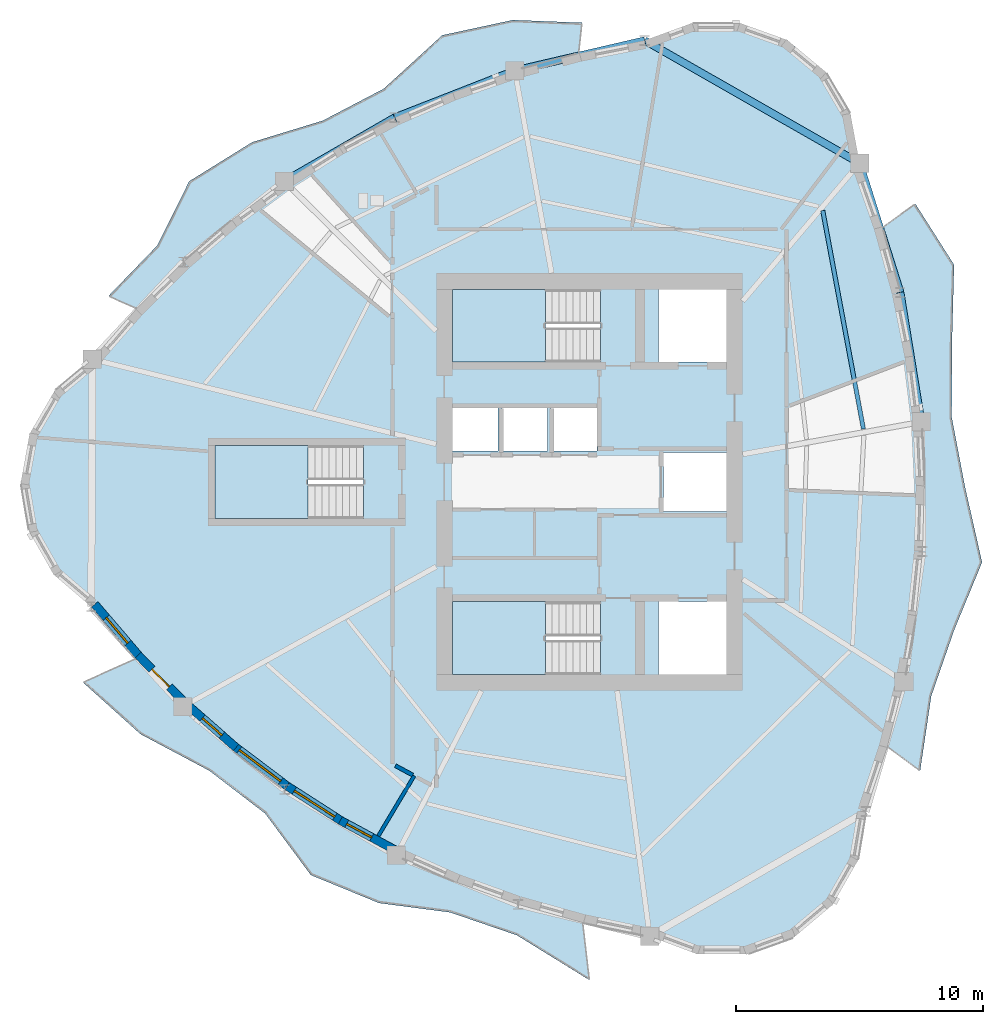
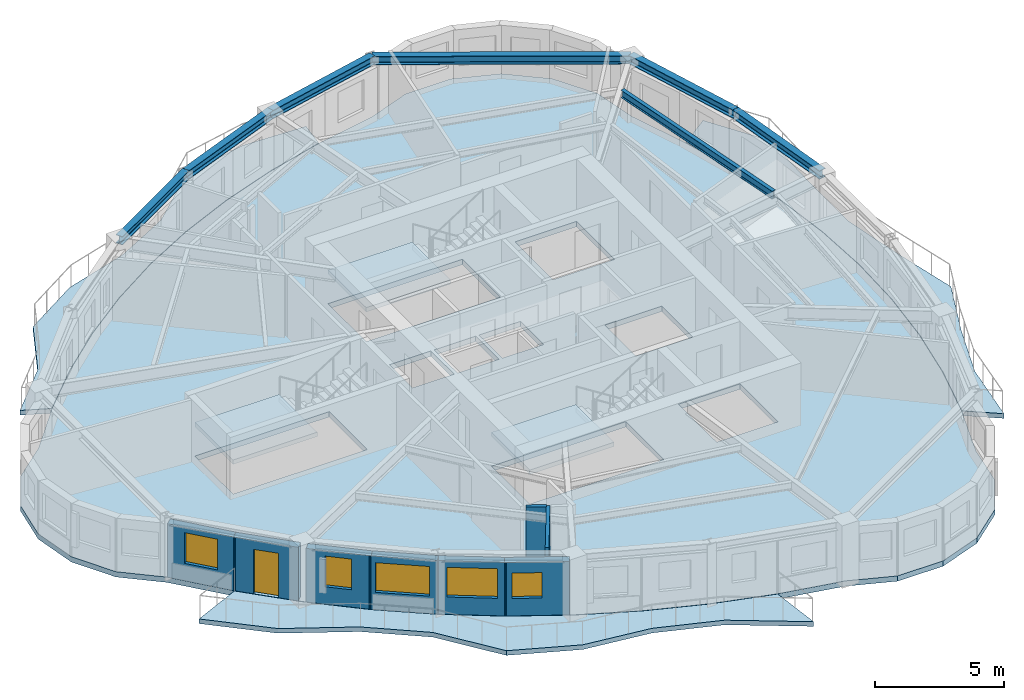
# One storey, part 2 of 11: 8 walls, 7 beams, 7 slabs, 5 windows, 1 door, 6 openings, 3 elements without a shape of their own.
"""IFC4 building model written with IfcOpenShell, lengths in metres."""

from ifc_helpers import new_model, si_unit, direction, frame, frame_2d, origin, origin_2d, place, context, subcontext, project, spatial, polyline, rectangle, i_section, outline, extrude, source, transform, mapped, material, layer, layer_set, material_profile, profile_set, type_object, element, fill, aggregate, save


model = new_model("IFC4")

# Units and contexts
model_context = context("Model", 3, precision=1e-05, world=origin(), true_north=direction((0.0, 1.0)))
body_context = subcontext(model_context, "Body", "Model", "MODEL_VIEW")
ifc_project = project(units=[si_unit("LENGTHUNIT", "METRE"), si_unit("AREAUNIT", "SQUARE_METRE"), si_unit("VOLUMEUNIT", "CUBIC_METRE"), si_unit("PLANEANGLEUNIT", "RADIAN"), si_unit("MASSUNIT", "GRAM", prefix="KILO")], contexts=[model_context])

# Site, building, storey
site_placement = place(None, origin())
site = spatial("IfcSite", under=ifc_project, at=site_placement, CompositionType="ELEMENT")
building_placement = place(site_placement, origin())
building = spatial("IfcBuilding", under=site, at=building_placement, Name="Qafzar Sky-Pleat Residences", CompositionType="ELEMENT")
storey_placement = place(building_placement, frame((0.0, 0.0, 165.0)))
storey = spatial("IfcBuildingStorey", under=building, at=storey_placement, Name="L49", CompositionType="ELEMENT", Elevation=165.0)

# Beams
ifc_material_1 = material(Name="Steel S355", Category="steel")
ifc_material_profile_1 = material_profile(ifc_material_1, i_section(OverallWidth=0.300048828125, OverallDepth=0.39990234375, WebThickness=0.013427734375, FlangeThickness=0.02392578125, FilletRadius=0.027099609375, at=origin_2d()), Name="HEB 400")
ifc_profile_set_1 = profile_set([ifc_material_profile_1], Name="Steel S355")
beam_type_1 = type_object("IfcBeamType", Name="BM-SPAN-HEB400", PredefinedType="SPANDREL", material=ifc_profile_set_1)
shared_shape_1 = source(origin(), body_context, "Body", "SweptSolid", [
    extrude(i_section(OverallWidth=0.300048828125, OverallDepth=0.39990234375, WebThickness=0.013427734375, FlangeThickness=0.02392578125, FilletRadius=0.027099609375, at=origin_2d()), origin(), (0.0, 0.0, 1.0), 10.017578125),
])
beam_1_placement = place(storey_placement, frame((41.28369140625, 38.907470703125, 2.748046875), z_axis=(-0.868435045366, 0.495802956809, 0.0), x_axis=(-0.495802956809, -0.868435045366, 0.0)))
element("IfcBeam", 1, at=beam_1_placement, inside=storey, type_object=beam_type_1, Name="L49 Perimeter Spandrel Beam 13", PredefinedType="SPANDREL", context=body_context, shape_type="MappedRepresentation", body=[
    mapped(shared_shape_1, transform((0.0, 0.0, 0.0), x_axis=(1.0, 0.0, 0.0), y_axis=(0.0, 1.0, 0.0), z_axis=(0.0, 0.0, 1.0), scale=1.0)),
])
shared_shape_2 = source(origin(), body_context, "Body", "SweptSolid", [
    extrude(i_section(OverallWidth=0.300048828125, OverallDepth=0.39990234375, WebThickness=0.013427734375, FlangeThickness=0.02392578125, FilletRadius=0.027099609375, at=origin_2d()), origin(), (0.0, 0.0, 1.0), 5.3115234375),
])
beam_2_placement = place(storey_placement, frame((43.77978515625, 28.428955078125, 2.748046875), z_axis=(-0.159820586454, 0.987146078423, 0.0), x_axis=(-0.987146078423, -0.159820586454, 0.0)))
element("IfcBeam", 2, at=beam_2_placement, inside=storey, type_object=beam_type_1, Name="L49 Perimeter Spandrel Beam 11", PredefinedType="SPANDREL", context=body_context, shape_type="MappedRepresentation", body=[
    mapped(shared_shape_2, transform((0.0, 0.0, 0.0), x_axis=(1.0, 0.0, 0.0), y_axis=(0.0, 1.0, 0.0), z_axis=(0.0, 0.0, 1.0), scale=1.0)),
])
shared_shape_3 = source(origin(), body_context, "Body", "SweptSolid", [
    extrude(i_section(OverallWidth=0.300048828125, OverallDepth=0.39990234375, WebThickness=0.013427734375, FlangeThickness=0.02392578125, FilletRadius=0.027099609375, at=origin_2d()), origin(), (0.0, 0.0, 1.0), 5.48828125),
])
beam_3_placement = place(storey_placement, frame((42.930908203125, 33.672119140625, 2.748046875), z_axis=(-0.300128479556, 0.953898786958, 0.0), x_axis=(-0.953898786958, -0.300128479556, 0.0)))
element("IfcBeam", 3, at=beam_3_placement, inside=storey, type_object=beam_type_1, Name="L49 Perimeter Spandrel Beam 12", PredefinedType="SPANDREL", context=body_context, shape_type="MappedRepresentation", body=[
    mapped(shared_shape_3, transform((0.0, 0.0, 0.0), x_axis=(1.0, 0.0, 0.0), y_axis=(0.0, 1.0, 0.0), z_axis=(0.0, 0.0, 1.0), scale=1.0)),
])
shared_shape_4 = source(origin(), body_context, "Body", "SweptSolid", [
    extrude(i_section(OverallWidth=0.300048828125, OverallDepth=0.39990234375, WebThickness=0.013427734375, FlangeThickness=0.02392578125, FilletRadius=0.027099609375, at=origin_2d()), origin(), (0.0, 0.0, 1.0), 5.39599609375),
])
beam_4_placement = place(storey_placement, frame((32.583984375, 43.874267578125, 2.748046875), z_axis=(-0.974013133864, -0.226491534194, 0.0), x_axis=(0.226491534194, -0.974013133864, 0.0)))
element("IfcBeam", 4, at=beam_4_placement, inside=storey, type_object=beam_type_1, Name="L49 Perimeter Spandrel Beam 14", PredefinedType="SPANDREL", context=body_context, shape_type="MappedRepresentation", body=[
    mapped(shared_shape_4, transform((0.0, 0.0, 0.0), x_axis=(1.0, 0.0, 0.0), y_axis=(0.0, 1.0, 0.0), z_axis=(0.0, 0.0, 1.0), scale=1.0)),
])
shared_shape_5 = source(origin(), body_context, "Body", "SweptSolid", [
    extrude(i_section(OverallWidth=0.300048828125, OverallDepth=0.39990234375, WebThickness=0.013427734375, FlangeThickness=0.02392578125, FilletRadius=0.027099609375, at=origin_2d()), origin(), (0.0, 0.0, 1.0), 5.22216796875),
])
beam_5_placement = place(storey_placement, frame((27.328125, 42.652099609375, 2.748046875), z_axis=(-0.931324838412, -0.364189573376, 0.0), x_axis=(0.364189573376, -0.931324838412, 0.0)))
element("IfcBeam", 5, at=beam_5_placement, inside=storey, type_object=beam_type_1, Name="L49 Perimeter Spandrel Beam 15", PredefinedType="SPANDREL", context=body_context, shape_type="MappedRepresentation", body=[
    mapped(shared_shape_5, transform((0.0, 0.0, 0.0), x_axis=(1.0, 0.0, 0.0), y_axis=(0.0, 1.0, 0.0), z_axis=(0.0, 0.0, 1.0), scale=1.0)),
])
shared_shape_6 = source(origin(), body_context, "Body", "SweptSolid", [
    extrude(i_section(OverallWidth=0.300048828125, OverallDepth=0.39990234375, WebThickness=0.013427734375, FlangeThickness=0.02392578125, FilletRadius=0.027099609375, at=origin_2d()), origin(), (0.0, 0.0, 1.0), 5.162841796875),
])
beam_6_placement = place(storey_placement, frame((22.464599609375, 40.750244140625, 2.748046875), z_axis=(-0.866005243274, -0.500034917402, 0.0), x_axis=(0.500034917402, -0.866005243274, 0.0)))
element("IfcBeam", 6, at=beam_6_placement, inside=storey, type_object=beam_type_1, Name="L49 Perimeter Spandrel Beam 16", PredefinedType="SPANDREL", context=body_context, shape_type="MappedRepresentation", body=[
    mapped(shared_shape_6, transform((0.0, 0.0, 0.0), x_axis=(1.0, 0.0, 0.0), y_axis=(0.0, 1.0, 0.0), z_axis=(0.0, 0.0, 1.0), scale=1.0)),
])
ifc_material_profile_2 = material_profile(ifc_material_1, i_section(OverallWidth=0.169921875, OverallDepth=0.360107421875, WebThickness=0.008056640625, FlangeThickness=0.0126953125, FilletRadius=0.01806640625, at=origin_2d()), Name="IPE 360")
ifc_profile_set_2 = profile_set([ifc_material_profile_2], Name="Steel S355")
beam_type_2 = type_object("IfcBeamType", Name="BM-JST-IPE360", PredefinedType="JOIST", material=ifc_profile_set_2)
shared_shape_7 = source(origin(), body_context, "Body", "SweptSolid", [
    extrude(i_section(OverallWidth=0.169921875, OverallDepth=0.360107421875, WebThickness=0.008056640625, FlangeThickness=0.0126953125, FilletRadius=0.01806640625, at=origin_2d()), origin(), (0.0, 0.0, 1.0), 8.995361328125),
])
beam_7_placement = place(storey_placement, frame((41.44140625, 28.143310546875, 2.76806640625), z_axis=(-0.183170844202, 0.983081096265, 0.0), x_axis=(-0.983081096265, -0.183170844202, 0.0)))
element("IfcBeam", 7, at=beam_7_placement, inside=storey, type_object=beam_type_2, Name="L49 Outer Secondary Floor Joist 6", PredefinedType="JOIST", context=body_context, shape_type="MappedRepresentation", body=[
    mapped(shared_shape_7, transform((0.0, 0.0, 0.0), x_axis=(1.0, 0.0, 0.0), y_axis=(0.0, 1.0, 0.0), z_axis=(0.0, 0.0, 1.0), scale=1.0)),
])

# Slabs
ifc_material_2 = material(Name="Concrete C40/50", Category="concrete")
ifc_layer_1 = layer(ifc_material_2, 0.219970703125)
ifc_layer_set_1 = layer_set([ifc_layer_1], Name="Concrete C40/50")
slab_type_1 = type_object("IfcSlabType", Name="SLAB-BAL-220", PredefinedType="USERDEFINED", material=ifc_layer_set_1)
slab_1_placement = place(storey_placement, frame((0.0, 0.0, -0.219970703125)))
element("IfcSlab", 8, at=slab_1_placement, inside=storey, type_object=slab_type_1, Name="L49 Pleated Stone Balcony 1", ObjectType="BALCONY", PredefinedType="USERDEFINED", context=body_context, shape_type="SweptSolid", body=[
    extrude(outline(polyline([(43.093994140625, 17.913818359375), (43.568115234375, 20.545654296875), (43.842529296875, 23.17578125), (43.9169921875, 25.80419921875), (43.791748046875, 28.4306640625), (43.466552734375, 31.05517578125), (42.94140625, 33.677490234375), (42.216796875, 36.297607421875), (43.543212890625, 37.258544921875), (45.110107421875, 34.791748046875), (45.0234375, 31.56396484375), (45.015380859375, 28.619140625), (45.554931640625, 25.7841796875), (46.24267578125, 22.748046875), (45.114013671875, 20.004150390625), (44.185302734375, 17.3291015625), (43.734619140625, 14.302734375), (42.420166015625, 15.280029296875), (43.093994140625, 17.913818359375)])), origin(), (0.0, 0.0, 1.0), 0.219970703125),
])
slab_2_placement = place(storey_placement, frame((0.0, 0.0, -0.219970703125)))
element("IfcSlab", 9, at=slab_2_placement, inside=storey, type_object=slab_type_1, Name="L49 Pleated Stone Balcony 2", ObjectType="BALCONY", PredefinedType="USERDEFINED", context=body_context, shape_type="SweptSolid", body=[
    extrude(outline(polyline([(27.32763671875, 42.6640625), (24.844970703125, 41.7978515625), (22.46044921875, 40.761474609375), (20.174072265625, 39.554931640625), (17.986083984375, 38.177978515625), (15.896240234375, 36.631103515625), (13.90478515625, 34.914306640625), (12.01171875, 33.02734375), (10.87841796875, 33.525390625), (12.8583984375, 35.575927734375), (14.14501953125, 38.16943359375), (16.691650390625, 39.752197265625), (19.55517578125, 40.626953125), (22.025390625, 41.92041015625), (24.388671875, 44.08349609375), (27.24560546875, 44.7001953125), (30.043701171875, 44.590576171875), (29.908203125, 43.35986328125), (27.32763671875, 42.6640625)])), origin(), (0.0, 0.0, 1.0), 0.219970703125),
])
slab_3_placement = place(storey_placement, frame((0.0, 0.0, -0.219970703125)))
element("IfcSlab", 10, at=slab_3_placement, inside=storey, type_object=slab_type_1, Name="L49 Pleated Stone Balcony 3", ObjectType="BALCONY", PredefinedType="USERDEFINED", context=body_context, shape_type="SweptSolid", body=[
    extrude(outline(polyline([(13.88037109375, 16.89892578125), (15.888916015625, 15.13330078125), (17.9990234375, 13.539306640625), (20.2109375, 12.11767578125), (22.5244140625, 10.867919921875), (24.939453125, 9.79052734375), (27.455810546875, 8.885009765625), (30.07373046875, 8.15185546875), (30.3427734375, 5.836669921875), (27.41650390625, 7.647705078125), (24.709716796875, 8.573974609375), (21.8310546875, 8.951416015625), (19.070556640625, 10.0849609375), (17.22412109375, 12.573974609375), (14.96728515625, 14.306396484375), (12.167236328125, 15.794921875), (9.845703125, 17.8857421875), (11.973388671875, 18.8369140625), (13.88037109375, 16.89892578125)])), origin(), (0.0, 0.0, 1.0), 0.219970703125),
])
ifc_layer_2 = layer(ifc_material_2, 0.25)
ifc_layer_set_2 = layer_set([ifc_layer_2], Name="Concrete C40/50")
slab_type_2 = type_object("IfcSlabType", Name="SLAB-FLR-250", PredefinedType="FLOOR", material=ifc_layer_set_2)
slab_4_placement = place(storey_placement, frame((0.0, 0.0, -0.25)))
element("IfcSlab", 11, at=slab_4_placement, inside=storey, type_object=slab_type_2, Name="L49 Structural Floor Slab", PredefinedType="FLOOR", context=body_context, shape_type="SweptSolid", body=[
    extrude(outline(polyline([(10.228515625, 30.96728515625), (8.69140625, 29.6796875), (7.684814453125, 27.945556640625), (7.32861328125, 25.972412109375), (7.66552734375, 23.995849609375), (8.655517578125, 22.252197265625), (10.179931640625, 20.94970703125), (11.984619140625, 18.841796875), (13.890380859375, 16.905517578125), (15.897705078125, 15.14111328125), (18.006591796875, 13.548583984375), (20.216796875, 12.128173828125), (22.528564453125, 10.879150390625), (24.941650390625, 9.80224609375), (27.456298828125, 8.897216796875), (30.072265625, 8.163818359375), (32.789794921875, 7.602294921875), (34.694091796875, 6.8916015625), (36.72705078125, 6.8818359375), (38.63818359375, 7.573974609375), (40.193359375, 8.883056640625), (41.201171875, 10.6484375), (41.5380859375, 12.653076171875), (42.410400390625, 15.287109375), (43.08349609375, 17.91943359375), (43.556884765625, 20.5498046875), (43.830810546875, 23.177978515625), (43.905029296875, 25.804443359375), (43.77978515625, 28.428955078125), (43.455078125, 31.051513671875), (42.930908203125, 33.672119140625), (42.20703125, 36.290771484375), (41.28369140625, 38.907470703125), (40.91796875, 40.87890625), (39.90283203125, 42.60791015625), (38.359619140625, 43.88818359375), (36.47265625, 44.56640625), (34.467529296875, 44.5615234375), (32.583984375, 43.874267578125), (29.906982421875, 43.347900390625), (27.328125, 42.652099609375), (24.847412109375, 41.7861328125), (22.464599609375, 40.750244140625), (20.18017578125, 39.54443359375), (17.99365234375, 38.168701171875), (15.9052734375, 36.623291015625), (13.914794921875, 34.90771484375), (12.022705078125, 33.0224609375), (10.228515625, 30.96728515625)]), holes=[polyline([(30.797119140625, 21.14990234375), (24.800048828125, 21.14990234375), (24.800048828125, 18.199951171875), (30.797119140625, 18.199951171875), (30.797119140625, 21.14990234375)]), polyline([(30.797119140625, 33.800048828125), (24.800048828125, 33.800048828125), (24.800048828125, 30.85009765625), (30.797119140625, 30.85009765625), (30.797119140625, 33.800048828125)]), polyline([(21.197021484375, 27.47509765625), (15.199951171875, 27.47509765625), (15.199951171875, 24.52490234375), (21.197021484375, 24.52490234375), (21.197021484375, 27.47509765625)]), polyline([(24.800048828125, 27.25), (26.64990234375, 27.25), (26.64990234375, 29.050048828125), (24.800048828125, 29.050048828125), (24.800048828125, 27.25)]), polyline([(26.800048828125, 27.25), (28.64990234375, 27.25), (28.64990234375, 29.050048828125), (26.800048828125, 29.050048828125), (26.800048828125, 27.25)]), polyline([(28.800048828125, 27.25), (30.64990234375, 27.25), (30.64990234375, 29.050048828125), (28.800048828125, 29.050048828125), (28.800048828125, 27.25)]), polyline([(33.14990234375, 18.199951171875), (35.89990234375, 18.199951171875), (35.89990234375, 21.14990234375), (33.14990234375, 21.14990234375), (33.14990234375, 18.199951171875)]), polyline([(33.14990234375, 30.85009765625), (35.89990234375, 30.85009765625), (35.89990234375, 33.800048828125), (33.14990234375, 33.800048828125), (33.14990234375, 30.85009765625)]), polyline([(33.35009765625, 24.800048828125), (35.89990234375, 24.800048828125), (35.89990234375, 27.199951171875), (33.35009765625, 27.199951171875), (33.35009765625, 24.800048828125)])]), origin(), (0.0, 0.0, 1.0), 0.25),
])

# Stair, slab
stair_type = type_object("IfcStairType", Name="STAIR-H320", PredefinedType="HALF_TURN_STAIR", material=ifc_material_2)
stair_1_placement = place(storey_placement, origin())
stair_1 = element("IfcStair", 12, at=stair_1_placement, inside=storey, type_object=stair_type, Name="L49 Protected Exit Stair ST1", PredefinedType="HALF_TURN_STAIR")
ifc_layer_3 = layer(ifc_material_2, 0.199951171875)
ifc_layer_set_3 = layer_set([ifc_layer_3], Name="Concrete C40/50")
slab_type_3 = type_object("IfcSlabType", Name="SLAB-LANDING-200", PredefinedType="LANDING", material=ifc_layer_set_3)
slab_5_placement = place(storey_placement, frame((0.0, 0.0, 1.39990234375)))
slab_5 = element("IfcSlab", 13, at=slab_5_placement, type_object=slab_type_3, Name="ST1 landing 1", PredefinedType="LANDING", context=body_context, shape_type="SweptSolid", body=[
    extrude(outline(polyline([(28.56005859375, 21.14990234375), (24.800048828125, 21.14990234375), (24.800048828125, 18.199951171875), (28.56005859375, 18.199951171875), (28.56005859375, 21.14990234375)])), origin(), (0.0, 0.0, 1.0), 0.2001953125),
])
aggregate(stair_1, [slab_5])

stair_2_placement = place(storey_placement, origin())
stair_2 = element("IfcStair", 14, at=stair_2_placement, inside=storey, type_object=stair_type, Name="L49 Protected Exit Stair ST2", PredefinedType="HALF_TURN_STAIR")
slab_6_placement = place(storey_placement, frame((0.0, 0.0, 1.39990234375)))
slab_6 = element("IfcSlab", 15, at=slab_6_placement, type_object=slab_type_3, Name="ST2 landing 1", PredefinedType="LANDING", context=body_context, shape_type="SweptSolid", body=[
    extrude(outline(polyline([(28.56005859375, 33.800048828125), (24.800048828125, 33.800048828125), (24.800048828125, 30.85009765625), (28.56005859375, 30.85009765625), (28.56005859375, 33.800048828125)])), origin(), (0.0, 0.0, 1.0), 0.2001953125),
])
aggregate(stair_2, [slab_6])

stair_3_placement = place(storey_placement, origin())
stair_3 = element("IfcStair", 16, at=stair_3_placement, inside=storey, type_object=stair_type, Name="L49 Protected Exit Stair ST3", PredefinedType="HALF_TURN_STAIR")
slab_7_placement = place(storey_placement, frame((0.0, 0.0, 1.39990234375)))
slab_7 = element("IfcSlab", 17, at=slab_7_placement, type_object=slab_type_3, Name="ST3 landing 1", PredefinedType="LANDING", context=body_context, shape_type="SweptSolid", body=[
    extrude(outline(polyline([(18.9599609375, 27.47509765625), (15.199951171875, 27.47509765625), (15.199951171875, 24.52490234375), (18.9599609375, 24.52490234375), (18.9599609375, 27.47509765625)])), origin(), (0.0, 0.0, 1.0), 0.2001953125),
])
aggregate(stair_3, [slab_7])

# Walls
ifc_material_3 = material(Name="Acoustic gypsum plasterboard partition", Category="gypsum")
ifc_layer_4 = layer(ifc_material_3, 0.159912109375)
ifc_layer_set_4 = layer_set([ifc_layer_4], Name="Acoustic gypsum plasterboard partition")
wall_type_1 = type_object("IfcWallType", Name="PART-COR-160", PredefinedType="PARTITIONING", material=ifc_layer_set_4)
wall_1_placement = place(storey_placement, frame((22.4951171875, 14.511474609375, 0.0), z_axis=(0.0, 0.0, 1.0), x_axis=(0.880144682908, -0.474705526773, 0.0)))
element("IfcWall", 18, at=wall_1_placement, inside=storey, type_object=wall_type_1, Name="L49 Partition Wall PART-L49-PW-026", PredefinedType="PARTITIONING", context=body_context, shape_type="SweptSolid", body=[
    extrude(rectangle(XDim=0.79296875, YDim=0.159912109375, at=frame_2d((0.396484375, 0.0))), origin(), (0.0, 0.0, 1.0), 2.949951171875),
])
ifc_layer_5 = layer(ifc_material_3, 0.14501953125)
ifc_layer_set_5 = layer_set([ifc_layer_5], Name="Acoustic gypsum plasterboard partition")
wall_type_2 = type_object("IfcWallType", Name="PART-UNIT-145", PredefinedType="PARTITIONING", material=ifc_layer_set_5)
wall_2_placement = place(storey_placement, frame((21.8037109375, 11.669921875, 0.0), z_axis=(0.0, 0.0, 1.0), x_axis=(0.512135491123, 0.858904673833, 0.0)))
element("IfcWall", 19, at=wall_2_placement, inside=storey, type_object=wall_type_2, Name="L49 Partition Wall PART-L49-PW-020", PredefinedType="PARTITIONING", context=body_context, shape_type="SweptSolid", body=[
    extrude(rectangle(XDim=2.83154296875, YDim=0.14501953125, at=frame_2d((1.415771484375, 0.0))), origin(), (0.0, 0.0, 1.0), 2.949951171875),
])

# Wall, opening, window
ifc_material_4 = material(Name="Precast concrete C40/50 with honed Riyadh limestone", Category="concrete")
ifc_layer_6 = layer(ifc_material_4, 0.340087890625)
ifc_layer_set_6 = layer_set([ifc_layer_6], Name="Precast concrete C40/50 with honed Riyadh limestone")
wall_type_3 = type_object("IfcWallType", Name="WALL-EXT-340", PredefinedType="SOLIDWALL", material=ifc_layer_set_6)
wall_3_placement = place(storey_placement, frame((10.322265625, 21.045166015625, 0.0), z_axis=(0.0, 0.0, 1.0), x_axis=(0.650265710861, -0.759706854832, 0.0)))
wall_3 = element("IfcWall", 20, at=wall_3_placement, inside=storey, type_object=wall_type_3, Name="L49 Limestone Facade Wall 7", PredefinedType="SOLIDWALL", context=body_context, shape_type="SweptSolid", body=[
    extrude(rectangle(XDim=2.79296875, YDim=0.340087890625, at=frame_2d((1.396484375, 0.0))), origin(), (0.0, 0.0, 1.0), 2.530029296875),
])
opening_1_placement = place(wall_3_placement, frame((0.71142578125, 0.0, 0.820068359375)))
opening_1 = element("IfcOpeningElement", 21, at=opening_1_placement, cuts=wall_3, Name="Opening WN-04", PredefinedType="OPENING", context=body_context, shape_type="SweptSolid", body=[
    extrude(rectangle(XDim=1.35009765625, YDim=1.449951171875, at=frame_2d((0.675048828125, 0.72509765625))), frame((0.0, 0.18017578125, 0.0), z_axis=(0.0, -1.0, 0.0), x_axis=(1.0, 0.0, 0.0)), (0.0, 0.0, 1.0), 0.360107421875),
])
ifc_material_5 = material(Name="Solar-control low-E glass in bronze aluminium frame", Category="glass")
window_type_1 = type_object("IfcWindowType", Name="WIN-04", PartitioningType="SINGLE_PANEL", PredefinedType="WINDOW", material=ifc_material_5)
shared_shape_8 = source(origin(), body_context, "Body", "SweptSolid", [
    extrude(rectangle(XDim=1.35009765625, YDim=1.449951171875, at=frame_2d((0.675048828125, 0.72509765625))), frame((0.0, 0.030029296875, 0.0), z_axis=(0.0, -1.0, 0.0), x_axis=(1.0, 0.0, 0.0)), (0.0, 0.0, 1.0), 0.06005859375),
])
window_1_placement = place(opening_1_placement, origin())
window_1 = element("IfcWindow", 22, at=window_1_placement, inside=storey, type_object=window_type_1, Name="L49 Punched Facade Window 07", OverallHeight=1.449951171875, OverallWidth=1.35009765625, PartitioningType="SINGLE_PANEL", PredefinedType="WINDOW", context=body_context, shape_type="MappedRepresentation", body=[
    mapped(shared_shape_8, transform((0.0, 0.0, 0.0), x_axis=(1.0, 0.0, 0.0), y_axis=(0.0, 1.0, 0.0), z_axis=(0.0, 0.0, 1.0), scale=1.0)),
])
fill(opening_1, window_1)

# Wall, opening, door
wall_4_placement = place(storey_placement, frame((12.0791015625, 18.988037109375, 0.0), z_axis=(0.0, 0.0, 1.0), x_axis=(0.701497143461, -0.712672265291, 0.0)))
wall_4 = element("IfcWall", 23, at=wall_4_placement, inside=storey, type_object=wall_type_3, Name="L49 Limestone Facade Wall 8", PredefinedType="SOLIDWALL", context=body_context, shape_type="SweptSolid", body=[
    extrude(rectangle(XDim=2.599853515625, YDim=0.340087890625, at=frame_2d((1.2998046875, 0.0))), origin(), (0.0, 0.0, 1.0), 2.530029296875),
])
opening_2_placement = place(wall_4_placement, frame((0.7998046875, 0.0, 0.0)))
opening_2 = element("IfcOpeningElement", 24, at=opening_2_placement, cuts=wall_4, Name="Opening ED-05", PredefinedType="OPENING", context=body_context, shape_type="SweptSolid", body=[
    extrude(rectangle(XDim=1.0, YDim=2.10009765625, at=frame_2d((0.5, 1.050048828125))), frame((0.0, 0.18017578125, 0.0), z_axis=(0.0, -1.0, 0.0), x_axis=(1.0, 0.0, 0.0)), (0.0, 0.0, 1.0), 0.360107421875),
])
ifc_material_6 = material(Name="Glazed bronze aluminium door", Category="aluminium")
door_type = type_object("IfcDoorType", Name="DR-BAL-1000", OperationType="NOTDEFINED", PredefinedType="DOOR", material=ifc_material_6)
shared_shape_9 = source(origin(), body_context, "Body", "SweptSolid", [
    extrude(rectangle(XDim=1.0, YDim=2.10009765625, at=frame_2d((0.5, 1.050048828125))), frame((0.0, 0.02490234375, 0.0), z_axis=(0.0, -1.0, 0.0), x_axis=(1.0, 0.0, 0.0)), (0.0, 0.0, 1.0), 0.050048828125),
])
door_placement = place(opening_2_placement, origin())
door = element("IfcDoor", 25, at=door_placement, inside=storey, type_object=door_type, Name="L49 Glazed Balcony Door 3", OperationType="SINGLE_SWING_LEFT", OverallHeight=2.10009765625, OverallWidth=1.0, PredefinedType="DOOR", context=body_context, shape_type="MappedRepresentation", body=[
    mapped(shared_shape_9, transform((0.0, 0.0, 0.0), x_axis=(1.0, 0.0, 0.0), y_axis=(0.0, 1.0, 0.0), z_axis=(0.0, 0.0, 1.0), scale=1.0)),
])
fill(opening_2, door)

# Wall, opening, window
wall_5_placement = place(storey_placement, frame((14.119140625, 16.930908203125, 0.0), z_axis=(0.0, 0.0, 1.0), x_axis=(0.751118959237, -0.660166879716, 0.0)))
wall_5 = element("IfcWall", 26, at=wall_5_placement, inside=storey, type_object=wall_type_3, Name="L49 Limestone Facade Wall 9", PredefinedType="SOLIDWALL", context=body_context, shape_type="SweptSolid", body=[
    extrude(rectangle(XDim=2.555419921875, YDim=0.340087890625, at=frame_2d((1.27783203125, 0.0))), origin(), (0.0, 0.0, 1.0), 2.530029296875),
])
opening_3_placement = place(wall_5_placement, frame((0.747802734375, 0.0, 0.820068359375)))
opening_3 = element("IfcOpeningElement", 27, at=opening_3_placement, cuts=wall_5, Name="Opening WN-06", PredefinedType="OPENING", context=body_context, shape_type="SweptSolid", body=[
    extrude(rectangle(XDim=1.050048828125, YDim=1.449951171875, at=frame_2d((0.52490234375, 0.72509765625))), frame((0.0, 0.18017578125, 0.0), z_axis=(0.0, -1.0, 0.0), x_axis=(1.0, 0.0, 0.0)), (0.0, 0.0, 1.0), 0.360107421875),
])
window_type_2 = type_object("IfcWindowType", Name="WIN-06", PartitioningType="SINGLE_PANEL", PredefinedType="WINDOW", material=ifc_material_5)
shared_shape_10 = source(origin(), body_context, "Body", "SweptSolid", [
    extrude(rectangle(XDim=1.050048828125, YDim=1.449951171875, at=frame_2d((0.52490234375, 0.72509765625))), frame((0.0, 0.030029296875, 0.0), z_axis=(0.0, -1.0, 0.0), x_axis=(1.0, 0.0, 0.0)), (0.0, 0.0, 1.0), 0.06005859375),
])
window_2_placement = place(opening_3_placement, origin())
window_2 = element("IfcWindow", 28, at=window_2_placement, inside=storey, type_object=window_type_2, Name="L49 Punched Facade Window 09", OverallHeight=1.449951171875, OverallWidth=1.050048828125, PartitioningType="SINGLE_PANEL", PredefinedType="WINDOW", context=body_context, shape_type="MappedRepresentation", body=[
    mapped(shared_shape_10, transform((0.0, 0.0, 0.0), x_axis=(1.0, 0.0, 0.0), y_axis=(0.0, 1.0, 0.0), z_axis=(0.0, 0.0, 1.0), scale=1.0)),
])
fill(opening_3, window_2)

wall_6_placement = place(storey_placement, frame((15.969970703125, 15.2998046875, 0.0), z_axis=(0.0, 0.0, 1.0), x_axis=(0.797969316041, -0.602698075869, 0.0)))
wall_6 = element("IfcWall", 29, at=wall_6_placement, inside=storey, type_object=wall_type_3, Name="L49 Limestone Facade Wall 10", PredefinedType="SOLIDWALL", context=body_context, shape_type="SweptSolid", body=[
    extrude(rectangle(XDim=2.66064453125, YDim=0.340087890625, at=frame_2d((1.330322265625, 0.0))), origin(), (0.0, 0.0, 1.0), 2.530029296875),
])
opening_4_placement = place(wall_6_placement, frame((0.250244140625, 0.0, 0.820068359375)))
opening_4 = element("IfcOpeningElement", 30, at=opening_4_placement, cuts=wall_6, Name="Opening WN-07", PredefinedType="OPENING", context=body_context, shape_type="SweptSolid", body=[
    extrude(rectangle(XDim=2.10009765625, YDim=1.39990234375, at=frame_2d((1.050048828125, 0.699951171875))), frame((0.0, 0.18017578125, 0.0), z_axis=(0.0, -1.0, 0.0), x_axis=(1.0, 0.0, 0.0)), (0.0, 0.0, 1.0), 0.360107421875),
])
window_type_3 = type_object("IfcWindowType", Name="WIN-07", PartitioningType="DOUBLE_PANEL_VERTICAL", PredefinedType="WINDOW", material=ifc_material_5)
shared_shape_11 = source(origin(), body_context, "Body", "SweptSolid", [
    extrude(rectangle(XDim=2.10009765625, YDim=1.39990234375, at=frame_2d((1.050048828125, 0.699951171875))), frame((0.0, 0.030029296875, 0.0), z_axis=(0.0, -1.0, 0.0), x_axis=(1.0, 0.0, 0.0)), (0.0, 0.0, 1.0), 0.06005859375),
])
window_3_placement = place(opening_4_placement, origin())
window_3 = element("IfcWindow", 31, at=window_3_placement, inside=storey, type_object=window_type_3, Name="L49 Punched Facade Window 10", OverallHeight=1.39990234375, OverallWidth=2.10009765625, PartitioningType="SINGLE_PANEL", PredefinedType="WINDOW", context=body_context, shape_type="MappedRepresentation", body=[
    mapped(shared_shape_11, transform((0.0, 0.0, 0.0), x_axis=(1.0, 0.0, 0.0), y_axis=(0.0, 1.0, 0.0), z_axis=(0.0, 0.0, 1.0), scale=1.0)),
])
fill(opening_4, window_3)

wall_7_placement = place(storey_placement, frame((18.115234375, 13.680908203125, 0.0), z_axis=(0.0, 0.0, 1.0), x_axis=(0.841232440507, -0.540673636346, 0.0)))
wall_7 = element("IfcWall", 32, at=wall_7_placement, inside=storey, type_object=wall_type_3, Name="L49 Limestone Facade Wall 11", PredefinedType="SOLIDWALL", context=body_context, shape_type="SweptSolid", body=[
    extrude(rectangle(XDim=2.6455078125, YDim=0.340087890625, at=frame_2d((1.32275390625, 0.0))), origin(), (0.0, 0.0, 1.0), 2.530029296875),
])
opening_5_placement = place(wall_7_placement, frame((0.337646484375, 0.0, 0.820068359375)))
opening_5 = element("IfcOpeningElement", 33, at=opening_5_placement, cuts=wall_7, Name="Opening WN-08", PredefinedType="OPENING", context=body_context, shape_type="SweptSolid", body=[
    extrude(rectangle(XDim=1.949951171875, YDim=1.39990234375, at=frame_2d((0.97509765625, 0.699951171875))), frame((0.0, 0.18017578125, 0.0), z_axis=(0.0, -1.0, 0.0), x_axis=(1.0, 0.0, 0.0)), (0.0, 0.0, 1.0), 0.360107421875),
])
window_type_4 = type_object("IfcWindowType", Name="WIN-08", PartitioningType="DOUBLE_PANEL_VERTICAL", PredefinedType="WINDOW", material=ifc_material_5)
shared_shape_12 = source(origin(), body_context, "Body", "SweptSolid", [
    extrude(rectangle(XDim=1.949951171875, YDim=1.39990234375, at=frame_2d((0.97509765625, 0.699951171875))), frame((0.0, 0.030029296875, 0.0), z_axis=(0.0, -1.0, 0.0), x_axis=(1.0, 0.0, 0.0)), (0.0, 0.0, 1.0), 0.06005859375),
])
window_4_placement = place(opening_5_placement, origin())
window_4 = element("IfcWindow", 34, at=window_4_placement, inside=storey, type_object=window_type_4, Name="L49 Punched Facade Window 11", OverallHeight=1.39990234375, OverallWidth=1.949951171875, PartitioningType="SINGLE_PANEL", PredefinedType="WINDOW", context=body_context, shape_type="MappedRepresentation", body=[
    mapped(shared_shape_12, transform((0.0, 0.0, 0.0), x_axis=(1.0, 0.0, 0.0), y_axis=(0.0, 1.0, 0.0), z_axis=(0.0, 0.0, 1.0), scale=1.0)),
])
fill(opening_5, window_4)

wall_8_placement = place(storey_placement, frame((20.264404296875, 12.295654296875, 0.0), z_axis=(0.0, 0.0, 1.0), x_axis=(0.879776875652, -0.475386841497, 0.0)))
wall_8 = element("IfcWall", 35, at=wall_8_placement, inside=storey, type_object=wall_type_3, Name="L49 Limestone Facade Wall 12", PredefinedType="SOLIDWALL", context=body_context, shape_type="SweptSolid", body=[
    extrude(rectangle(XDim=2.51025390625, YDim=0.340087890625, at=frame_2d((1.255126953125, 0.0))), origin(), (0.0, 0.0, 1.0), 2.530029296875),
])
opening_6_placement = place(wall_8_placement, frame((0.29052734375, 0.0, 0.820068359375)))
opening_6 = element("IfcOpeningElement", 36, at=opening_6_placement, cuts=wall_8, Name="Opening WN-16", PredefinedType="OPENING", context=body_context, shape_type="SweptSolid", body=[
    extrude(rectangle(XDim=1.14990234375, YDim=1.199951171875, at=frame_2d((0.574951171875, 0.60009765625))), frame((0.0, 0.18017578125, 0.0), z_axis=(0.0, -1.0, 0.0), x_axis=(1.0, 0.0, 0.0)), (0.0, 0.0, 1.0), 0.360107421875),
])
window_type_5 = type_object("IfcWindowType", Name="WIN-16", PartitioningType="SINGLE_PANEL", PredefinedType="WINDOW", material=ifc_material_5)
shared_shape_13 = source(origin(), body_context, "Body", "SweptSolid", [
    extrude(rectangle(XDim=1.14990234375, YDim=1.199951171875, at=frame_2d((0.574951171875, 0.60009765625))), frame((0.0, 0.030029296875, 0.0), z_axis=(0.0, -1.0, 0.0), x_axis=(1.0, 0.0, 0.0)), (0.0, 0.0, 1.0), 0.06005859375),
])
window_5_placement = place(opening_6_placement, origin())
window_5 = element("IfcWindow", 37, at=window_5_placement, inside=storey, type_object=window_type_5, Name="L49 Punched Facade Window 12", OverallHeight=1.199951171875, OverallWidth=1.14990234375, PartitioningType="SINGLE_PANEL", PredefinedType="WINDOW", context=body_context, shape_type="MappedRepresentation", body=[
    mapped(shared_shape_13, transform((0.0, 0.0, 0.0), x_axis=(1.0, 0.0, 0.0), y_axis=(0.0, 1.0, 0.0), z_axis=(0.0, 0.0, 1.0), scale=1.0)),
])
fill(opening_6, window_5)

save(model, "model.ifc")
